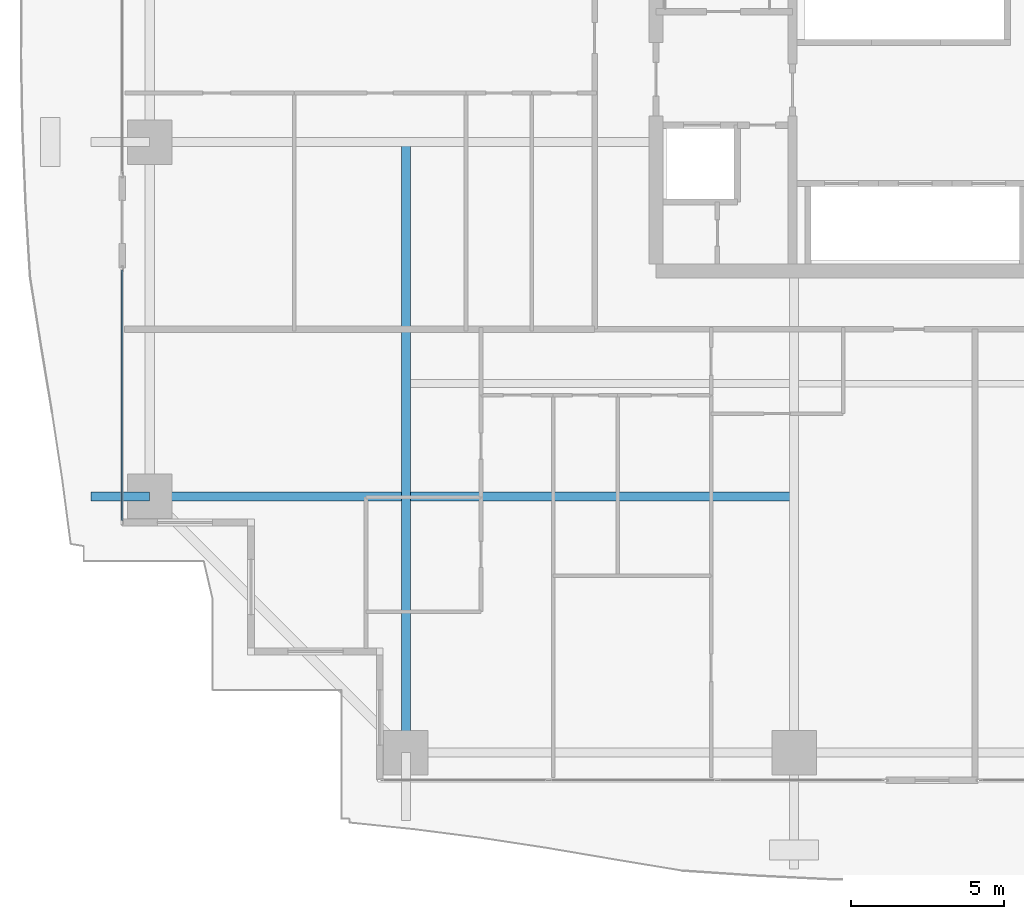
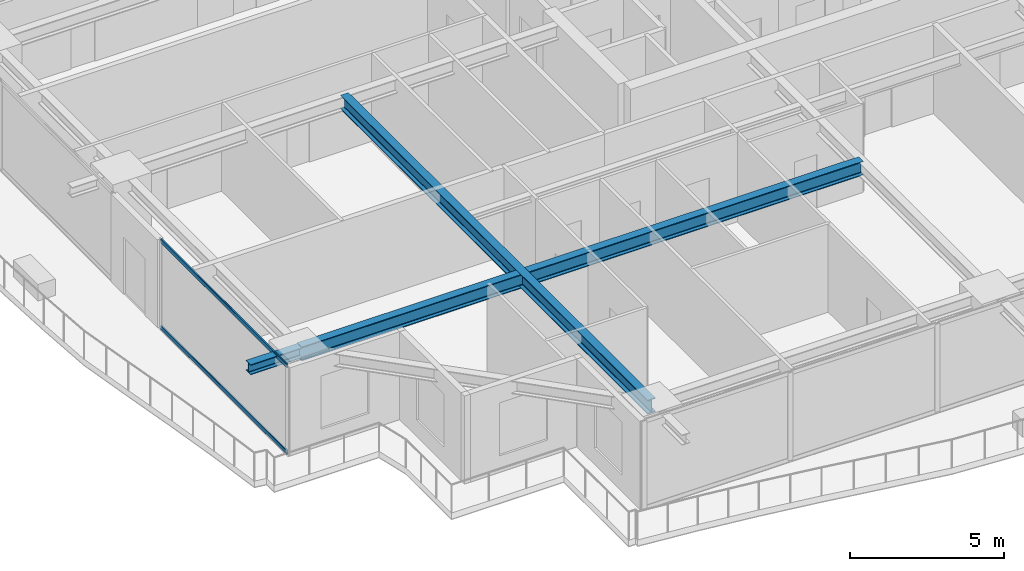
# One storey, part 3 of 39: 3 beams, 2 members, 1 element without a shape of its own.
"""IFC4 building model written with IfcOpenShell, lengths in metres."""

from ifc_helpers import new_model, si_unit, direction, frame, origin, origin_2d, place, context, subcontext, project, spatial, hollow_rectangle, i_section, extrude, source, transform, mapped, material, layer, layer_set, material_profile, profile_set, type_object, element, aggregate, save


model = new_model("IFC4")

# Units and contexts
model_context = context("Model", 3, precision=1e-05, world=origin(), true_north=direction((0.0, 1.0)))
body_context = subcontext(model_context, "Body", "Model", "MODEL_VIEW")
ifc_project = project(units=[si_unit("LENGTHUNIT", "METRE"), si_unit("AREAUNIT", "SQUARE_METRE"), si_unit("VOLUMEUNIT", "CUBIC_METRE"), si_unit("PLANEANGLEUNIT", "RADIAN"), si_unit("MASSUNIT", "GRAM", prefix="KILO")], contexts=[model_context])

# Site, building, storey
site_placement = place(None, origin())
site = spatial("IfcSite", under=ifc_project, at=site_placement, CompositionType="ELEMENT")
building_placement = place(site_placement, origin())
building = spatial("IfcBuilding", under=site, at=building_placement, Name="Serunith Strait Residences", CompositionType="ELEMENT")
storey_placement = place(building_placement, frame((0.0, 0.0, 60.449951171875)))
storey = spatial("IfcBuildingStorey", under=building, at=storey_placement, Name="L14", CompositionType="ELEMENT", Elevation=60.449951171875)

# Beams
ifc_material_1 = material(Name="Steel S355J2", Category="steel")
ifc_material_profile_1 = material_profile(ifc_material_1, i_section(OverallWidth=0.300048828125, OverallDepth=0.550048828125, WebThickness=0.014892578125, FlangeThickness=0.029052734375, FilletRadius=0.027099609375, at=origin_2d()), Name="HEB 550")
ifc_profile_set_1 = profile_set([ifc_material_profile_1], Name="Steel S355J2")
beam_type_1 = type_object("IfcBeamType", Name="BM-HEB550", PredefinedType="BEAM", material=ifc_profile_set_1)
shared_shape_1 = source(origin(), body_context, "Body", "SweptSolid", [
    extrude(i_section(OverallWidth=0.300048828125, OverallDepth=0.550048828125, WebThickness=0.014892578125, FlangeThickness=0.029052734375, FilletRadius=0.027099609375, at=origin_2d()), origin(), (0.0, 0.0, 1.0), 19.89990234375),
])
beam_1_placement = place(storey_placement, frame((15.25, 21.0, 3.212158203125), z_axis=(0.0, -1.0, 0.0), x_axis=(1.0, 0.0, 0.0)))
element("IfcBeam", 1, at=beam_1_placement, inside=storey, type_object=beam_type_1, Name="L14 Orthogonal Corner Girder TC-S1", PredefinedType="BEAM", context=body_context, shape_type="MappedRepresentation", body=[
    mapped(shared_shape_1, transform((0.0, 0.0, 0.0), scale=1.0)),
])
shared_shape_2 = source(origin(), body_context, "Body", "SweptSolid", [
    extrude(i_section(OverallWidth=0.300048828125, OverallDepth=0.550048828125, WebThickness=0.014892578125, FlangeThickness=0.029052734375, FilletRadius=0.027099609375, at=origin_2d()), origin(), (0.0, 0.0, 1.0), 21.0),
])
beam_2_placement = place(storey_placement, frame((27.89990234375, 9.449951171875, 3.212158203125), z_axis=(-1.0, 0.0, 0.0), x_axis=(0.0, -1.0, 0.0)))
element("IfcBeam", 2, at=beam_2_placement, inside=storey, type_object=beam_type_1, Name="L14 Orthogonal Corner Girder TC-W1", PredefinedType="BEAM", context=body_context, shape_type="MappedRepresentation", body=[
    mapped(shared_shape_2, transform((0.0, 0.0, 0.0), scale=1.0)),
])
ifc_material_profile_2 = material_profile(ifc_material_1, i_section(OverallWidth=0.300048828125, OverallDepth=0.39990234375, WebThickness=0.013427734375, FlangeThickness=0.02392578125, FilletRadius=0.027099609375, at=origin_2d()), Name="HEB 400")
ifc_profile_set_2 = profile_set([ifc_material_profile_2], Name="Steel S355J2")
beam_type_2 = type_object("IfcBeamType", Name="BM-HEB400", PredefinedType="BEAM", material=ifc_profile_set_2)
shared_shape_3 = source(origin(), body_context, "Body", "SweptSolid", [
    extrude(i_section(OverallWidth=0.300048828125, OverallDepth=0.39990234375, WebThickness=0.013427734375, FlangeThickness=0.02392578125, FilletRadius=0.027099609375, at=origin_2d()), origin(), (0.0, 0.0, 1.0), 1.909912109375),
])
beam_3_placement = place(storey_placement, frame((6.89990234375, 9.449951171875, 3.257080078125), z_axis=(-1.0, 0.0, 0.0), x_axis=(0.0, -1.0, 0.0)))
element("IfcBeam", 3, at=beam_3_placement, inside=storey, type_object=beam_type_2, Name="L15 Cantilevered Balcony Rib TC-W1", PredefinedType="BEAM", context=body_context, shape_type="MappedRepresentation", body=[
    mapped(shared_shape_3, transform((0.0, 0.0, 0.0), scale=1.0)),
])

# Curtain wall, members
ifc_material_2 = material(Name="Pale-Champagne Anodised Aluminium", Category="aluminium")
ifc_layer = layer(ifc_material_2, 0.199951171875, Name="Pale-Champagne Anodised Aluminium")
ifc_layer_set = layer_set([ifc_layer], Name="Pale-Champagne Anodised Aluminium")
curtain_wall_type = type_object("IfcCurtainWallType", Name="CW-SYS1", PredefinedType="NOTDEFINED", material=ifc_layer_set)
curtain_wall_placement = place(storey_placement, origin())
curtain_wall = element("IfcCurtainWall", 4, at=curtain_wall_placement, inside=storey, type_object=curtain_wall_type, Name="L14 W Unitised Fritted Curtain Wall", PredefinedType="NOTDEFINED")
ifc_material_profile_3 = material_profile(ifc_material_2, hollow_rectangle(XDim=0.06005859375, YDim=0.159912109375, WallThickness=0.00341796875, InnerFilletRadius=0.00537109375, OuterFilletRadius=0.0087890625, at=origin_2d()), Name="ALU 160x60x3.5")
ifc_profile_set_3 = profile_set([ifc_material_profile_3], Name="Pale-Champagne Anodised Aluminium")
member_type = type_object("IfcMemberType", Name="CW-SYS1-TRAN", PredefinedType="USERDEFINED", material=ifc_profile_set_3)
shared_shape_4 = source(origin(), body_context, "Body", "SweptSolid", [
    extrude(hollow_rectangle(XDim=0.06005859375, YDim=0.159912109375, WallThickness=0.00341796875, InnerFilletRadius=0.00537109375, OuterFilletRadius=0.0087890625, at=origin_2d()), origin(), (0.0, 0.0, 1.0), 8.16015625),
])
member_1_placement = place(storey_placement, frame((6.0, 16.830078125, 0.030029296875), z_axis=(0.0, -1.0, 0.0), x_axis=(1.0, 0.0, 0.0)))
member_1 = element("IfcMember", 5, at=member_1_placement, type_object=member_type, Name="CW-1 transom 1.1", ObjectType="TRANSOM", PredefinedType="USERDEFINED", context=body_context, shape_type="MappedRepresentation", body=[
    mapped(shared_shape_4, transform((0.0, 0.0, 0.0), scale=1.0)),
])
member_2_placement = place(storey_placement, frame((6.0, 16.830078125, 3.445068359375), z_axis=(0.0, -1.0, 0.0), x_axis=(1.0, 0.0, 0.0)))
member_2 = element("IfcMember", 6, at=member_2_placement, type_object=member_type, Name="CW-1 transom 1.2", ObjectType="TRANSOM", PredefinedType="USERDEFINED", context=body_context, shape_type="MappedRepresentation", body=[
    mapped(shared_shape_4, transform((0.0, 0.0, 0.0), scale=1.0)),
])
aggregate(curtain_wall, [member_1, member_2])

save(model, "model.ifc")
